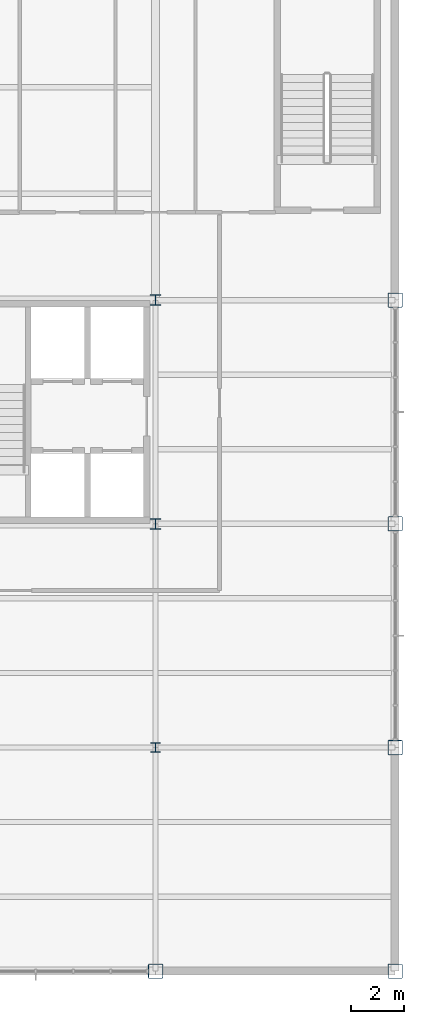
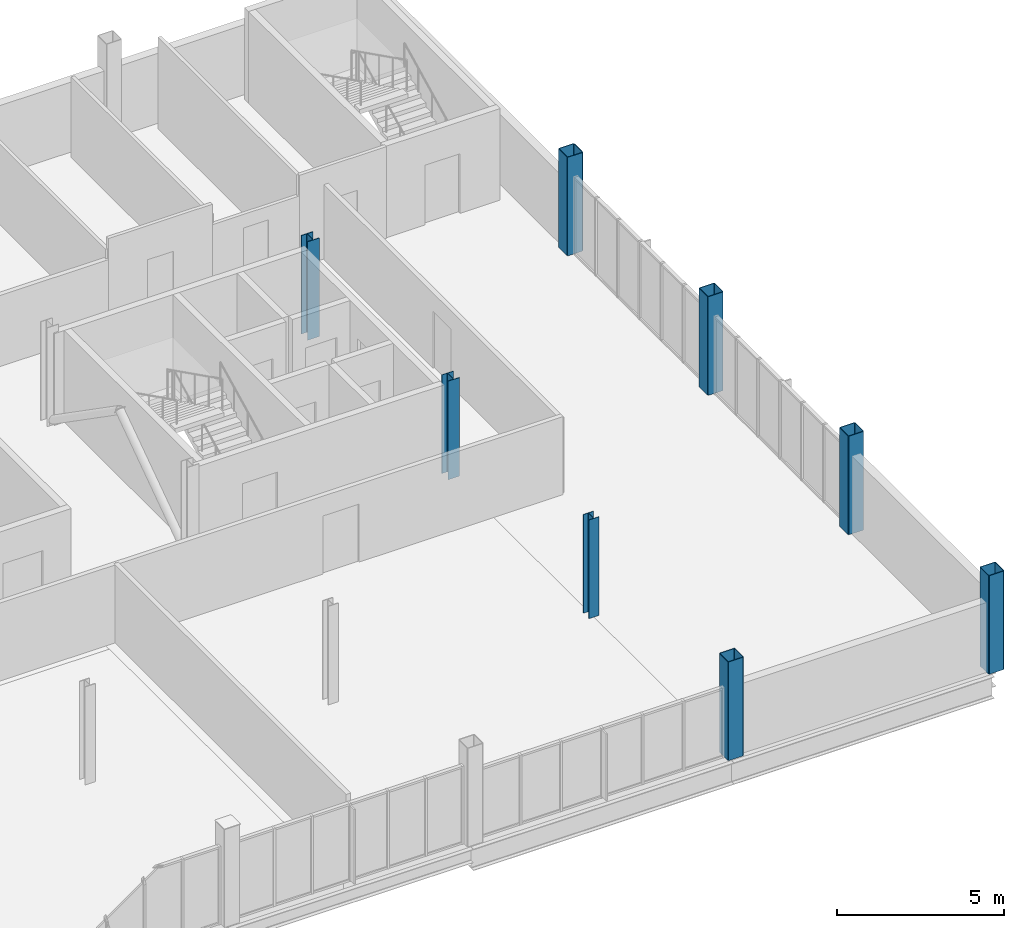
# One storey, part 3 of 18: 8 columns.
"""IFC4 building model written with IfcOpenShell, lengths in metres."""

import ifcopenshell
import ifcopenshell.guid

model = None  # the IFC model being written
_history = None  # IfcOwnerHistory: only IFC2X3 demands one
_inside = {}  # id of a spatial element -> (the spatial element, [elements in it])
_under = {}  # id of a project, library or spatial element -> (it, [spatial elements below it])
_declared = {}  # id of a project -> (the project, [libraries it declares])
_typed = {}  # id of a type object -> (the type object, [elements of that type])
_made_of = {}  # id of a material, layer set ... -> (it, [elements and type objects made of it])


def new_model(schema):
    """Start an empty IFC model of exactly this schema.

    Asked for "IFC4X3", IfcOpenShell would pick the latest addendum, in which some entities
    have other attributes; the version numbers below select the first issue.
    IFC2X3 requires an IfcOwnerHistory on every rooted entity: one is made here for all.
    """
    global model, _history
    if schema == "IFC4X3":
        model = ifcopenshell.file(schema_version=(4, 3, 0, 0))
    else:
        model = ifcopenshell.file(schema=schema)
    _inside.clear()
    _under.clear()
    _declared.clear()
    _typed.clear()
    _made_of.clear()
    _history = None
    if model.schema == "IFC2X3":
        org = make("IfcOrganization", Name="unknown")
        user = make(
            "IfcPersonAndOrganization",
            ThePerson=make("IfcPerson", FamilyName="unknown"),
            TheOrganization=org,
        )
        app = make(
            "IfcApplication",
            ApplicationDeveloper=org,
            Version="unknown",
            ApplicationFullName="unknown",
            ApplicationIdentifier="unknown",
        )
        _history = make(
            "IfcOwnerHistory",
            OwningUser=user,
            OwningApplication=app,
            ChangeAction="ADDED",
            CreationDate=0,
        )
    return model


def make(cls, **values):
    """One entity of the class cls with the attributes given. An attribute that is None is left unset."""
    return model.create_entity(
        cls, **{name: value for name, value in values.items() if value is not None}
    )


def rooted(cls, **values):
    """An entity with a GlobalId (a new one), such as an element, a storey or a relation."""
    return make(cls, GlobalId=ifcopenshell.guid.new(), OwnerHistory=_history, **values)


def si_unit(unit_type, name, prefix=None):
    """IfcSIUnit, for example si_unit("LENGTHUNIT", "METRE", prefix="MILLI")."""
    return make("IfcSIUnit", UnitType=unit_type, Prefix=prefix, Name=name)


def assignment(units):
    """IfcUnitAssignment: the units of a project."""
    return None if units is None else make("IfcUnitAssignment", Units=units)


def point(xyz):
    """IfcCartesianPoint."""
    return None if xyz is None else make("IfcCartesianPoint", Coordinates=xyz)


def direction(xyz):
    """IfcDirection."""
    return None if xyz is None else make("IfcDirection", DirectionRatios=xyz)


def frame(location, z_axis=None, x_axis=None):
    """IfcAxis2Placement3D, a coordinate frame: its origin and axes. An axis left out is left unset."""
    return make(
        "IfcAxis2Placement3D",
        Location=point(location),
        Axis=direction(z_axis),
        RefDirection=direction(x_axis),
    )


def frame_2d(location, x_axis=None):
    """IfcAxis2Placement2D, a coordinate frame in the plane: its origin and x axis."""
    return make(
        "IfcAxis2Placement2D", Location=point(location), RefDirection=direction(x_axis)
    )


def origin():
    """The frame at (0, 0, 0) with its axes left unset."""
    return frame((0.0, 0.0, 0.0))


def origin_2d():
    """The frame at (0, 0) in the plane with its x axis left unset."""
    return frame_2d((0.0, 0.0))


def place(relative_to, where):
    """IfcLocalPlacement: puts the frame where relative to a parent placement (None: the world)."""
    return make(
        "IfcLocalPlacement", PlacementRelTo=relative_to, RelativePlacement=where
    )


def context(
    kind, dimensions, precision=None, world=None, true_north=None, identifier=None
):
    """IfcGeometricRepresentationContext, for example the 3D "Model" context."""
    return make(
        "IfcGeometricRepresentationContext",
        ContextIdentifier=identifier,
        ContextType=kind,
        CoordinateSpaceDimension=dimensions,
        Precision=precision,
        WorldCoordinateSystem=world,
        TrueNorth=true_north,
    )


def subcontext(parent, identifier, kind, view, scale=None):
    """IfcGeometricRepresentationSubContext, for example "Body" below "Model"."""
    return make(
        "IfcGeometricRepresentationSubContext",
        ContextIdentifier=identifier,
        ContextType=kind,
        ParentContext=parent,
        TargetScale=scale,
        TargetView=view,
    )


def project(units=None, contexts=None):
    """IfcProject with its units and contexts."""
    return rooted(
        "IfcProject",
        Name="project",
        RepresentationContexts=contexts,
        UnitsInContext=assignment(units),
    )


def spatial(cls, under=None, at=None, **own):
    """A site, building, storey or space (cls), placed at a placement, below another one or the project."""
    s = rooted(cls, ObjectPlacement=at, **own)
    if under is not None:
        _under.setdefault(under.id(), (under, []))[1].append(s)
    return s


def profile(cls, at=None, kind="AREA", **sizes):
    """A parametric profile (cls). Its sizes go by their IFC names, for example OverallWidth=200.0."""
    return make(cls, ProfileType=kind, Position=at, **sizes)


def hollow_rectangle(**sizes):
    """IfcRectangleHollowProfileDef."""
    return profile("IfcRectangleHollowProfileDef", **sizes)


def i_section(**sizes):
    """IfcIShapeProfileDef."""
    return profile("IfcIShapeProfileDef", **sizes)


def extrude(swept, where, along, depth):
    """IfcExtrudedAreaSolid: the profile swept, set in the frame where, extruded along a direction by depth."""
    return make(
        "IfcExtrudedAreaSolid",
        SweptArea=swept,
        Position=where,
        ExtrudedDirection=direction(along),
        Depth=depth,
    )


def shape(context_of_items, identifier, shape_type, items):
    """IfcShapeRepresentation: the items that make up one representation, for example the "Body"."""
    return make(
        "IfcShapeRepresentation",
        ContextOfItems=context_of_items,
        RepresentationIdentifier=identifier,
        RepresentationType=shape_type,
        Items=items,
    )


def material(Name=None, Category=None):
    """IfcMaterial."""
    return make("IfcMaterial", Name=Name, Category=Category)


def material_profile(
    of_material, cross_section, Name=None, Category=None, Priority=None
):
    """IfcMaterialProfile: a cross section and its material."""
    return make(
        "IfcMaterialProfile",
        Name=Name,
        Material=of_material,
        Profile=cross_section,
        Priority=Priority,
        Category=Category,
    )


def profile_set(profiles, Name=None, composite=None):
    """IfcMaterialProfileSet."""
    return make(
        "IfcMaterialProfileSet",
        Name=Name,
        MaterialProfiles=profiles,
        CompositeProfile=composite,
    )


def made_of(thing, what):
    """Note that an element or type object is made of a material, layer set ...; save() writes the relation."""
    if what is not None:
        _made_of.setdefault(what.id(), (what, []))[1].append(thing)
    return thing


def type_object(cls, material=None, **own):
    """A type object (cls), such as IfcWallType, which elements share."""
    return made_of(rooted(cls, **own), material)


def element(
    cls,
    number,
    at=None,
    inside=None,
    cuts=None,
    type_object=None,
    material=None,
    context=None,
    identifier="Body",
    shape_type=None,
    held_by="IfcProductDefinitionShape",
    body=None,
    shapes=None,
    **own,
):
    """One element of the class cls, such as IfcWall. Its Tag is "e" and its number.

    at: its placement. inside: the storey or other place that contains it. cuts: it is an
    opening in that element (IfcRelVoidsElement). A single representation is given by context,
    identifier, shape_type and body (its items); several are given by shapes. held_by: the class
    of the entity that holds the representations. save() writes the other relations.
    """
    e = rooted(cls, Tag="e%d" % number, ObjectPlacement=at, **own)
    if body is not None:
        shapes = [shape(context, identifier, shape_type, body)]
    if shapes is not None:
        e.Representation = make(held_by, Representations=shapes)
    if inside is not None:
        _inside.setdefault(inside.id(), (inside, []))[1].append(e)
    if cuts is not None:
        rooted(
            "IfcRelVoidsElement", RelatingBuildingElement=cuts, RelatedOpeningElement=e
        )
    if type_object is not None:
        _typed.setdefault(type_object.id(), (type_object, []))[1].append(e)
    return made_of(e, material)


def aggregate(whole, parts):
    """IfcRelAggregates: a whole, such as a stair, and the parts it consists of."""
    return rooted("IfcRelAggregates", RelatingObject=whole, RelatedObjects=parts)


def save(model, path):
    """Write the relations noted so far, then the file.

    IfcRelAggregates (storeys below a building ...), IfcRelContainedInSpatialStructure (elements
    in a storey), IfcRelDefinesByType, IfcRelAssociatesMaterial and IfcRelDeclares: one each for
    every whole, place, type object, material and project.
    """
    for whole, parts in _under.values():
        aggregate(whole, parts)
    for where, things in _inside.values():
        rooted(
            "IfcRelContainedInSpatialStructure",
            RelatedElements=things,
            RelatingStructure=where,
        )
    for kind, things in _typed.values():
        rooted("IfcRelDefinesByType", RelatedObjects=things, RelatingType=kind)
    for what, things in _made_of.values():
        rooted("IfcRelAssociatesMaterial", RelatedObjects=things, RelatingMaterial=what)
    for by, libraries in _declared.values():
        rooted("IfcRelDeclares", RelatingContext=by, RelatedDefinitions=libraries)
    model.write(path)


model = new_model("IFC4")

# Units and contexts
model_context = context("Model", 3, precision=1e-05, world=origin(), true_north=direction((0.0, 1.0)))
body_context = subcontext(model_context, "Body", "Model", "MODEL_VIEW")
ifc_project = project(units=[si_unit("LENGTHUNIT", "METRE"), si_unit("AREAUNIT", "SQUARE_METRE"), si_unit("VOLUMEUNIT", "CUBIC_METRE"), si_unit("PLANEANGLEUNIT", "RADIAN"), si_unit("MASSUNIT", "GRAM", prefix="KILO")], contexts=[model_context])

# Site, building, storey
site_placement = place(None, origin())
site = spatial("IfcSite", under=ifc_project, at=site_placement, CompositionType="ELEMENT")
building_placement = place(site_placement, origin())
building = spatial("IfcBuilding", under=site, at=building_placement, Name="Yukiwa Park Conservatory and Herbarium", CompositionType="ELEMENT")
storey_placement = place(building_placement, frame((0.0, 0.0, 24.60009765625)))
storey = spatial("IfcBuildingStorey", under=building, at=storey_placement, Name="L06", CompositionType="ELEMENT", Elevation=24.60009765625)

# Columns
ifc_material_1 = material(Name="Steel Q355D", Category="steel")
ifc_material_profile_1 = material_profile(ifc_material_1, hollow_rectangle(XDim=0.550048828125, YDim=0.550048828125, WallThickness=0.02197265625, InnerFilletRadius=0.02197265625, OuterFilletRadius=0.0439453125, at=origin_2d()), Name="BOX 550x550x22")
ifc_profile_set_1 = profile_set([ifc_material_profile_1], Name="Steel Q355D")
column_type_1 = type_object("IfcColumnType", Name="COL-TW-BOX550-EXT", PredefinedType="COLUMN", material=ifc_profile_set_1)
for number, where, z_axis, x_axis, name in (
    (1, (159.0, 78.0, 0.0), (0.0, 0.0, 1.0), (1.0, 0.0, 0.0), "L06 column V5-X1590-Y780"),
    (2, (168.0, 78.0, 0.0), (0.0, 0.0, 1.0), (1.0, 0.0, 0.0), "L06 column V5-X1680-Y780"),
    (3, (168.0, 86.39990234375, 0.0), (0.0, 0.0, 1.0), (1.0, 0.0, 0.0), "L06 column V5-X1680-Y864"),
    (4, (168.0, 94.800048828125, 0.0), (0.0, 0.0, 1.0), (1.0, 0.0, 0.0), "L06 column V5-X1680-Y948"),
    (5, (168.0, 103.199951171875, 0.0), (0.0, 0.0, 1.0), (1.0, 0.0, 0.0), "L06 column V5-X1680-Y1032"),
):
    element("IfcColumn", number, at=place(storey_placement, frame(where, z_axis=z_axis, x_axis=x_axis)), inside=storey, type_object=column_type_1, Name=name, PredefinedType="COLUMN", context=body_context, shape_type="SweptSolid", body=[
        extrude(hollow_rectangle(XDim=0.550048828125, YDim=0.550048828125, WallThickness=0.02197265625, InnerFilletRadius=0.02197265625, OuterFilletRadius=0.0439453125, at=origin_2d()), origin(), (0.0, 0.0, 1.0), 3.599853515625),
    ])
ifc_material_2 = material(Name="Steel Q355D", Category="steel")
ifc_material_profile_2 = material_profile(ifc_material_2, i_section(OverallWidth=0.35009765625, OverallDepth=0.35009765625, WebThickness=0.011962890625, FlangeThickness=0.01904296875, FilletRadius=0.02001953125, at=origin_2d()), Name="HW 350x350x12x19")
ifc_profile_set_2 = profile_set([ifc_material_profile_2], Name="Steel Q355D")
column_type_2 = type_object("IfcColumnType", Name="COL-TW-HW350", PredefinedType="COLUMN", material=ifc_profile_set_2)
column_placement = place(storey_placement, frame((159.0, 86.39990234375, 0.0), z_axis=(0.0, 0.0, 1.0), x_axis=(1.0, 0.0, 0.0)))
element("IfcColumn", 6, at=column_placement, inside=storey, type_object=column_type_2, Name="L06 column V5-X1590-Y864", PredefinedType="COLUMN", context=body_context, shape_type="SweptSolid", body=[
    extrude(i_section(OverallWidth=0.35009765625, OverallDepth=0.35009765625, WebThickness=0.011962890625, FlangeThickness=0.01904296875, FilletRadius=0.02001953125, at=origin_2d()), origin(), (0.0, 0.0, 1.0), 3.599853515625),
])
ifc_material_3 = material(Name="Steel Q355D", Category="steel")
ifc_material_profile_3 = material_profile(ifc_material_3, i_section(OverallWidth=0.39794921875, OverallDepth=0.39404296875, WebThickness=0.010986328125, FlangeThickness=0.01806640625, FilletRadius=0.02197265625, at=origin_2d()), Name="HW 394x398x11x18")
ifc_profile_set_3 = profile_set([ifc_material_profile_3], Name="Steel Q355D")
column_type_3 = type_object("IfcColumnType", Name="COL-TW-HW394", PredefinedType="COLUMN", material=ifc_profile_set_3)
for number, where, z_axis, x_axis, name in (
    (7, (159.0, 94.800048828125, 0.0), (0.0, 0.0, 1.0), (1.0, 0.0, 0.0), "L06 column V5-X1590-Y948"),
    (8, (159.0, 103.199951171875, 0.0), (0.0, 0.0, 1.0), (1.0, 0.0, 0.0), "L06 column V5-X1590-Y1032"),
):
    element("IfcColumn", number, at=place(storey_placement, frame(where, z_axis=z_axis, x_axis=x_axis)), inside=storey, type_object=column_type_3, Name=name, PredefinedType="COLUMN", context=body_context, shape_type="SweptSolid", body=[
        extrude(i_section(OverallWidth=0.39794921875, OverallDepth=0.39404296875, WebThickness=0.010986328125, FlangeThickness=0.01806640625, FilletRadius=0.02197265625, at=origin_2d()), origin(), (0.0, 0.0, 1.0), 3.599853515625),
    ])

save(model, "model.ifc")
